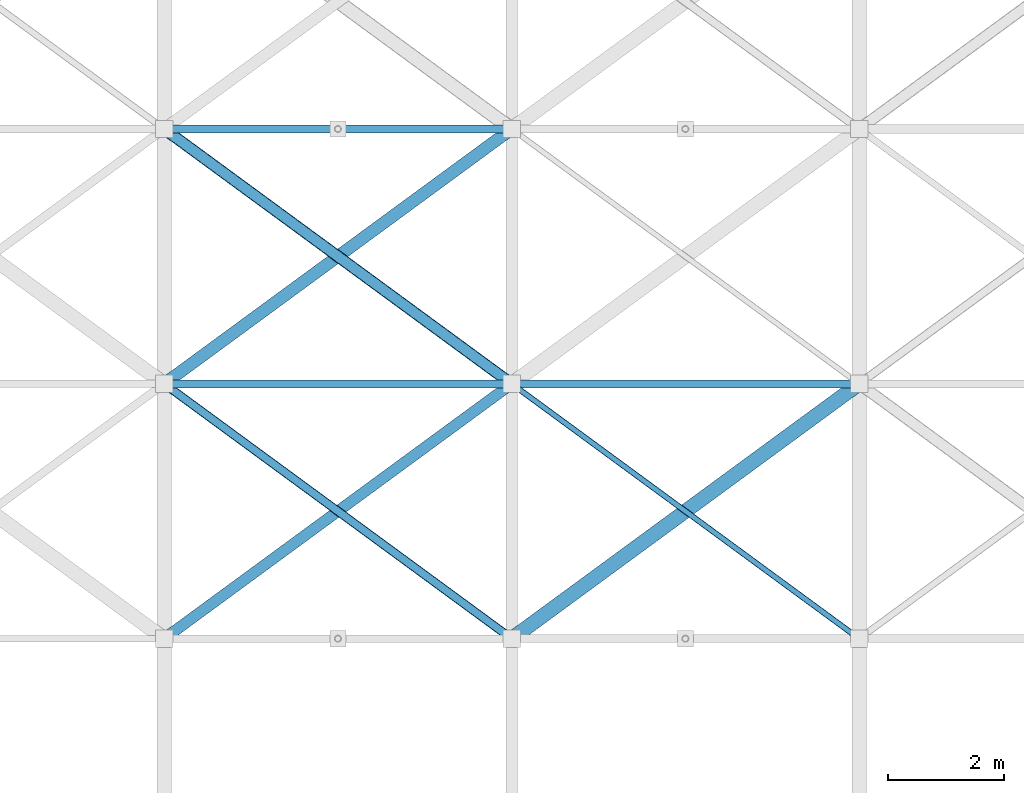
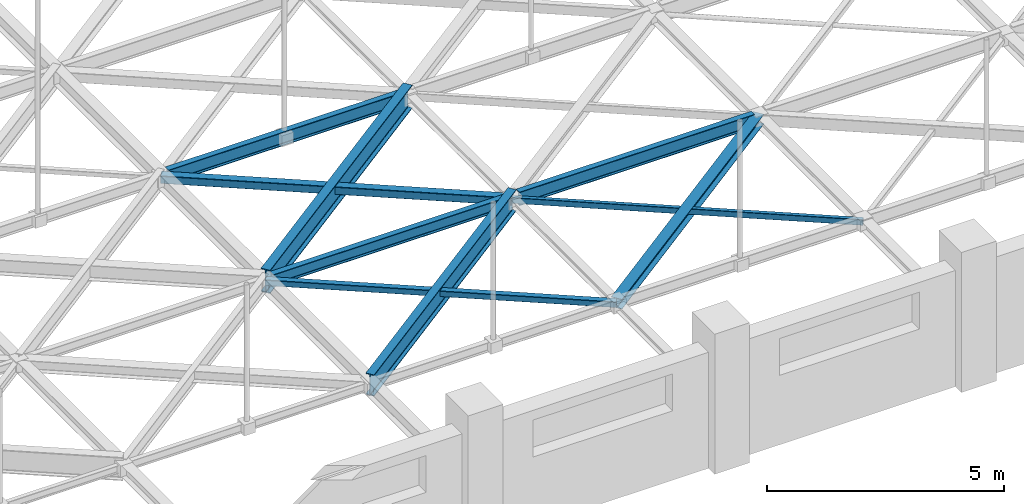
# One storey, part 32 of 93: 6 members, 3 beams.
"""IFC4 building model written with IfcOpenShell, lengths in metres."""

import ifcopenshell
import ifcopenshell.guid

model = None  # the IFC model being written
_history = None  # IfcOwnerHistory: only IFC2X3 demands one
_inside = {}  # id of a spatial element -> (the spatial element, [elements in it])
_under = {}  # id of a project, library or spatial element -> (it, [spatial elements below it])
_declared = {}  # id of a project -> (the project, [libraries it declares])
_typed = {}  # id of a type object -> (the type object, [elements of that type])
_made_of = {}  # id of a material, layer set ... -> (it, [elements and type objects made of it])


def new_model(schema):
    """Start an empty IFC model of exactly this schema.

    Asked for "IFC4X3", IfcOpenShell would pick the latest addendum, in which some entities
    have other attributes; the version numbers below select the first issue.
    IFC2X3 requires an IfcOwnerHistory on every rooted entity: one is made here for all.
    """
    global model, _history
    if schema == "IFC4X3":
        model = ifcopenshell.file(schema_version=(4, 3, 0, 0))
    else:
        model = ifcopenshell.file(schema=schema)
    _inside.clear()
    _under.clear()
    _declared.clear()
    _typed.clear()
    _made_of.clear()
    _history = None
    if model.schema == "IFC2X3":
        org = make("IfcOrganization", Name="unknown")
        user = make(
            "IfcPersonAndOrganization",
            ThePerson=make("IfcPerson", FamilyName="unknown"),
            TheOrganization=org,
        )
        app = make(
            "IfcApplication",
            ApplicationDeveloper=org,
            Version="unknown",
            ApplicationFullName="unknown",
            ApplicationIdentifier="unknown",
        )
        _history = make(
            "IfcOwnerHistory",
            OwningUser=user,
            OwningApplication=app,
            ChangeAction="ADDED",
            CreationDate=0,
        )
    return model


def make(cls, **values):
    """One entity of the class cls with the attributes given. An attribute that is None is left unset."""
    return model.create_entity(
        cls, **{name: value for name, value in values.items() if value is not None}
    )


def rooted(cls, **values):
    """An entity with a GlobalId (a new one), such as an element, a storey or a relation."""
    return make(cls, GlobalId=ifcopenshell.guid.new(), OwnerHistory=_history, **values)


def si_unit(unit_type, name, prefix=None):
    """IfcSIUnit, for example si_unit("LENGTHUNIT", "METRE", prefix="MILLI")."""
    return make("IfcSIUnit", UnitType=unit_type, Prefix=prefix, Name=name)


def assignment(units):
    """IfcUnitAssignment: the units of a project."""
    return None if units is None else make("IfcUnitAssignment", Units=units)


def point(xyz):
    """IfcCartesianPoint."""
    return None if xyz is None else make("IfcCartesianPoint", Coordinates=xyz)


def direction(xyz):
    """IfcDirection."""
    return None if xyz is None else make("IfcDirection", DirectionRatios=xyz)


def frame(location, z_axis=None, x_axis=None):
    """IfcAxis2Placement3D, a coordinate frame: its origin and axes. An axis left out is left unset."""
    return make(
        "IfcAxis2Placement3D",
        Location=point(location),
        Axis=direction(z_axis),
        RefDirection=direction(x_axis),
    )


def frame_2d(location, x_axis=None):
    """IfcAxis2Placement2D, a coordinate frame in the plane: its origin and x axis."""
    return make(
        "IfcAxis2Placement2D", Location=point(location), RefDirection=direction(x_axis)
    )


def origin():
    """The frame at (0, 0, 0) with its axes left unset."""
    return frame((0.0, 0.0, 0.0))


def origin_2d():
    """The frame at (0, 0) in the plane with its x axis left unset."""
    return frame_2d((0.0, 0.0))


def place(relative_to, where):
    """IfcLocalPlacement: puts the frame where relative to a parent placement (None: the world)."""
    return make(
        "IfcLocalPlacement", PlacementRelTo=relative_to, RelativePlacement=where
    )


def context(
    kind, dimensions, precision=None, world=None, true_north=None, identifier=None
):
    """IfcGeometricRepresentationContext, for example the 3D "Model" context."""
    return make(
        "IfcGeometricRepresentationContext",
        ContextIdentifier=identifier,
        ContextType=kind,
        CoordinateSpaceDimension=dimensions,
        Precision=precision,
        WorldCoordinateSystem=world,
        TrueNorth=true_north,
    )


def subcontext(parent, identifier, kind, view, scale=None):
    """IfcGeometricRepresentationSubContext, for example "Body" below "Model"."""
    return make(
        "IfcGeometricRepresentationSubContext",
        ContextIdentifier=identifier,
        ContextType=kind,
        ParentContext=parent,
        TargetScale=scale,
        TargetView=view,
    )


def project(units=None, contexts=None):
    """IfcProject with its units and contexts."""
    return rooted(
        "IfcProject",
        Name="project",
        RepresentationContexts=contexts,
        UnitsInContext=assignment(units),
    )


def spatial(cls, under=None, at=None, **own):
    """A site, building, storey or space (cls), placed at a placement, below another one or the project."""
    s = rooted(cls, ObjectPlacement=at, **own)
    if under is not None:
        _under.setdefault(under.id(), (under, []))[1].append(s)
    return s


def profile(cls, at=None, kind="AREA", **sizes):
    """A parametric profile (cls). Its sizes go by their IFC names, for example OverallWidth=200.0."""
    return make(cls, ProfileType=kind, Position=at, **sizes)


def hollow_rectangle(**sizes):
    """IfcRectangleHollowProfileDef."""
    return profile("IfcRectangleHollowProfileDef", **sizes)


def i_section(**sizes):
    """IfcIShapeProfileDef."""
    return profile("IfcIShapeProfileDef", **sizes)


def extrude(swept, where, along, depth):
    """IfcExtrudedAreaSolid: the profile swept, set in the frame where, extruded along a direction by depth."""
    return make(
        "IfcExtrudedAreaSolid",
        SweptArea=swept,
        Position=where,
        ExtrudedDirection=direction(along),
        Depth=depth,
    )


def shape(context_of_items, identifier, shape_type, items):
    """IfcShapeRepresentation: the items that make up one representation, for example the "Body"."""
    return make(
        "IfcShapeRepresentation",
        ContextOfItems=context_of_items,
        RepresentationIdentifier=identifier,
        RepresentationType=shape_type,
        Items=items,
    )


def material(Name=None, Category=None):
    """IfcMaterial."""
    return make("IfcMaterial", Name=Name, Category=Category)


def material_profile(
    of_material, cross_section, Name=None, Category=None, Priority=None
):
    """IfcMaterialProfile: a cross section and its material."""
    return make(
        "IfcMaterialProfile",
        Name=Name,
        Material=of_material,
        Profile=cross_section,
        Priority=Priority,
        Category=Category,
    )


def profile_set(profiles, Name=None, composite=None):
    """IfcMaterialProfileSet."""
    return make(
        "IfcMaterialProfileSet",
        Name=Name,
        MaterialProfiles=profiles,
        CompositeProfile=composite,
    )


def made_of(thing, what):
    """Note that an element or type object is made of a material, layer set ...; save() writes the relation."""
    if what is not None:
        _made_of.setdefault(what.id(), (what, []))[1].append(thing)
    return thing


def type_object(cls, material=None, **own):
    """A type object (cls), such as IfcWallType, which elements share."""
    return made_of(rooted(cls, **own), material)


def element(
    cls,
    number,
    at=None,
    inside=None,
    cuts=None,
    type_object=None,
    material=None,
    context=None,
    identifier="Body",
    shape_type=None,
    held_by="IfcProductDefinitionShape",
    body=None,
    shapes=None,
    **own,
):
    """One element of the class cls, such as IfcWall. Its Tag is "e" and its number.

    at: its placement. inside: the storey or other place that contains it. cuts: it is an
    opening in that element (IfcRelVoidsElement). A single representation is given by context,
    identifier, shape_type and body (its items); several are given by shapes. held_by: the class
    of the entity that holds the representations. save() writes the other relations.
    """
    e = rooted(cls, Tag="e%d" % number, ObjectPlacement=at, **own)
    if body is not None:
        shapes = [shape(context, identifier, shape_type, body)]
    if shapes is not None:
        e.Representation = make(held_by, Representations=shapes)
    if inside is not None:
        _inside.setdefault(inside.id(), (inside, []))[1].append(e)
    if cuts is not None:
        rooted(
            "IfcRelVoidsElement", RelatingBuildingElement=cuts, RelatedOpeningElement=e
        )
    if type_object is not None:
        _typed.setdefault(type_object.id(), (type_object, []))[1].append(e)
    return made_of(e, material)


def aggregate(whole, parts):
    """IfcRelAggregates: a whole, such as a stair, and the parts it consists of."""
    return rooted("IfcRelAggregates", RelatingObject=whole, RelatedObjects=parts)


def save(model, path):
    """Write the relations noted so far, then the file.

    IfcRelAggregates (storeys below a building ...), IfcRelContainedInSpatialStructure (elements
    in a storey), IfcRelDefinesByType, IfcRelAssociatesMaterial and IfcRelDeclares: one each for
    every whole, place, type object, material and project.
    """
    for whole, parts in _under.values():
        aggregate(whole, parts)
    for where, things in _inside.values():
        rooted(
            "IfcRelContainedInSpatialStructure",
            RelatedElements=things,
            RelatingStructure=where,
        )
    for kind, things in _typed.values():
        rooted("IfcRelDefinesByType", RelatedObjects=things, RelatingType=kind)
    for what, things in _made_of.values():
        rooted("IfcRelAssociatesMaterial", RelatedObjects=things, RelatingMaterial=what)
    for by, libraries in _declared.values():
        rooted("IfcRelDeclares", RelatingContext=by, RelatedDefinitions=libraries)
    model.write(path)


model = new_model("IFC4")

# Units and contexts
model_context = context("Model", 3, precision=1e-05, world=origin(), true_north=direction((0.0, 1.0)))
body_context = subcontext(model_context, "Body", "Model", "MODEL_VIEW")
ifc_project = project(units=[si_unit("LENGTHUNIT", "METRE"), si_unit("AREAUNIT", "SQUARE_METRE"), si_unit("VOLUMEUNIT", "CUBIC_METRE"), si_unit("PLANEANGLEUNIT", "RADIAN"), si_unit("MASSUNIT", "GRAM", prefix="KILO")], contexts=[model_context])

# Site, building, storey
site_placement = place(None, origin())
site = spatial("IfcSite", under=ifc_project, at=site_placement, CompositionType="ELEMENT")
building_placement = place(site_placement, origin())
building = spatial("IfcBuilding", under=site, at=building_placement, Name="Varnakota Cinema and Media Centre", CompositionType="ELEMENT")
storey_placement = place(building_placement, frame((0.0, 0.0, 12.0)))
storey = spatial("IfcBuildingStorey", under=building, at=storey_placement, Name="L03", CompositionType="ELEMENT", Elevation=12.0)

# Beams
ifc_material_1 = material(Name="Structural steel Grade 350 (E350)", Category="steel")
ifc_material_profile_1 = material_profile(ifc_material_1, i_section(OverallWidth=0.139892578125, OverallDepth=0.300048828125, WebThickness=0.0078125, FlangeThickness=0.01318359375, FilletRadius=0.013916015625, at=origin_2d()), Name="ISMB 300")
ifc_profile_set_1 = profile_set([ifc_material_profile_1], Name="Structural steel Grade 350 (E350)")
beam_type_1 = type_object("IfcBeamType", Name="BM-ST-ISMB300", PredefinedType="JOIST", material=ifc_profile_set_1)
beam_placement = place(storey_placement, frame((93.139892578125, 8.800048828125, 1.300048828125), z_axis=(1.0, 0.0, 0.0), x_axis=(0.0, 1.0, 0.0)))
element("IfcBeam", 1, at=beam_placement, inside=storey, type_object=beam_type_1, Name="V1 rigging beam 4.2", PredefinedType="JOIST", context=body_context, shape_type="SweptSolid", body=[
    extrude(i_section(OverallWidth=0.139892578125, OverallDepth=0.300048828125, WebThickness=0.0078125, FlangeThickness=0.01318359375, FilletRadius=0.013916015625, at=origin_2d()), origin(), (0.0, 0.0, 1.0), 5.72021484375),
])
ifc_material_2 = material(Name="Structural steel Grade 350 (E350)", Category="steel")
ifc_material_profile_2 = material_profile(ifc_material_2, i_section(OverallWidth=0.139892578125, OverallDepth=0.35009765625, WebThickness=0.008056640625, FlangeThickness=0.01416015625, FilletRadius=0.013916015625, at=origin_2d()), Name="ISMB 350")
ifc_profile_set_2 = profile_set([ifc_material_profile_2], Name="Structural steel Grade 350 (E350)")
beam_type_2 = type_object("IfcBeamType", Name="BM-ST-ISMB350", PredefinedType="JOIST", material=ifc_profile_set_2)
for number, where, z_axis, x_axis, name in (
    (2, (93.139892578125, 13.199951171875, 1.300048828125), (1.0, 0.0, 0.0), (0.0, 1.0, 0.0), "V1 rigging beam 4.3"),
    (3, (99.139892578125, 8.800048828125, 1.300048828125), (1.0, 0.0, 0.0), (0.0, 1.0, 0.0), "V1 rigging beam 5.2"),
):
    element("IfcBeam", number, at=place(storey_placement, frame(where, z_axis=z_axis, x_axis=x_axis)), inside=storey, type_object=beam_type_2, Name=name, PredefinedType="JOIST", context=body_context, shape_type="SweptSolid", body=[
        extrude(i_section(OverallWidth=0.139892578125, OverallDepth=0.35009765625, WebThickness=0.008056640625, FlangeThickness=0.01416015625, FilletRadius=0.013916015625, at=origin_2d()), origin(), (0.0, 0.0, 1.0), 5.72021484375),
    ])

# Members
ifc_material_3 = material(Name="Structural steel Grade 350 (E350)", Category="steel")
ifc_material_profile_3 = material_profile(ifc_material_3, i_section(OverallWidth=0.25, OverallDepth=0.25, WebThickness=0.0087890625, FlangeThickness=0.009765625, FilletRadius=0.010009765625, at=origin_2d()), Name="ISHB 250")
ifc_profile_set_3 = profile_set([ifc_material_profile_3], Name="Structural steel Grade 350 (E350)")
member_type_1 = type_object("IfcMemberType", Name="MEM-ST-ISHB250", PredefinedType="CHORD", material=ifc_profile_set_3)
member_1_placement = place(storey_placement, frame((99.0, 4.39990234375, 1.300048828125), z_axis=(0.806395607258, 0.591376466048, 0.0), x_axis=(-0.591376466048, 0.806395607258, 0.0)))
element("IfcMember", 4, at=member_1_placement, inside=storey, type_object=member_type_1, Name="V1 rigging plan member A 5.1", PredefinedType="CHORD", context=body_context, shape_type="SweptSolid", body=[
    extrude(i_section(OverallWidth=0.25, OverallDepth=0.25, WebThickness=0.0087890625, FlangeThickness=0.009765625, FilletRadius=0.010009765625, at=origin_2d()), origin(), (0.0, 0.0, 1.0), 7.4404296875),
])
ifc_material_4 = material(Name="Structural steel Grade 350 (E350)", Category="steel")
ifc_material_profile_4 = material_profile(ifc_material_4, i_section(OverallWidth=0.18994140625, OverallDepth=0.550048828125, WebThickness=0.01123046875, FlangeThickness=0.019287109375, FilletRadius=0.01806640625, at=origin_2d()), Name="ISMB 550")
ifc_profile_set_4 = profile_set([ifc_material_profile_4], Name="Structural steel Grade 350 (E350)")
member_type_2 = type_object("IfcMemberType", Name="MEM-ST-ISMB550", PredefinedType="RAFTER", material=ifc_profile_set_4)
member_2_placement = place(storey_placement, frame((93.0, 4.39990234375, 1.300048828125), z_axis=(0.806395607258, 0.591376466048, 0.0), x_axis=(-0.591376466048, 0.806395607258, 0.0)))
element("IfcMember", 5, at=member_2_placement, inside=storey, type_object=member_type_2, Name="V1 rigging plan member A 4.1", PredefinedType="RAFTER", context=body_context, shape_type="SweptSolid", body=[
    extrude(i_section(OverallWidth=0.18994140625, OverallDepth=0.550048828125, WebThickness=0.01123046875, FlangeThickness=0.019287109375, FilletRadius=0.01806640625, at=origin_2d()), origin(), (0.0, 0.0, 1.0), 7.4404296875),
])
ifc_material_5 = material(Name="Structural steel Grade 350 (E350)", Category="steel")
ifc_material_profile_5 = material_profile(ifc_material_5, i_section(OverallWidth=0.2099609375, OverallDepth=0.60009765625, WebThickness=0.011962890625, FlangeThickness=0.020751953125, FilletRadius=0.02001953125, at=origin_2d()), Name="ISMB 600")
ifc_profile_set_5 = profile_set([ifc_material_profile_5], Name="Structural steel Grade 350 (E350)")
member_type_3 = type_object("IfcMemberType", Name="MEM-ST-ISMB600", PredefinedType="RAFTER", material=ifc_profile_set_5)
member_3_placement = place(storey_placement, frame((93.0, 8.800048828125, 1.300048828125), z_axis=(0.80641125493, 0.591355128432, 0.0), x_axis=(-0.591355128432, 0.80641125493, 0.0)))
element("IfcMember", 6, at=member_3_placement, inside=storey, type_object=member_type_3, Name="V1 rigging plan member A 4.2", PredefinedType="RAFTER", context=body_context, shape_type="SweptSolid", body=[
    extrude(i_section(OverallWidth=0.2099609375, OverallDepth=0.60009765625, WebThickness=0.011962890625, FlangeThickness=0.020751953125, FilletRadius=0.02001953125, at=origin_2d()), origin(), (0.0, 0.0, 1.0), 7.4404296875),
])
ifc_material_6 = material(Name="Structural steel S355 (YSt 355)", Category="steel")
ifc_material_profile_6 = material_profile(ifc_material_6, hollow_rectangle(XDim=0.10009765625, YDim=0.14990234375, WallThickness=0.006103515625, InnerFilletRadius=0.006103515625, OuterFilletRadius=0.011962890625, at=origin_2d()), Name="RHS 150x100x6")
ifc_profile_set_6 = profile_set([ifc_material_profile_6], Name="Structural steel S355 (YSt 355)")
member_type_4 = type_object("IfcMemberType", Name="MEM-ST-RHS150x100x6", PredefinedType="PURLIN", material=ifc_profile_set_6)
member_4_placement = place(storey_placement, frame((105.0, 4.39990234375, 1.300048828125), z_axis=(-0.806395607258, 0.591376466048, 0.0), x_axis=(-0.591376466048, -0.806395607258, 0.0)))
element("IfcMember", 7, at=member_4_placement, inside=storey, type_object=member_type_4, Name="V1 rigging plan member B 5.1", PredefinedType="PURLIN", context=body_context, shape_type="SweptSolid", body=[
    extrude(hollow_rectangle(XDim=0.10009765625, YDim=0.14990234375, WallThickness=0.006103515625, InnerFilletRadius=0.006103515625, OuterFilletRadius=0.011962890625, at=origin_2d()), origin(), (0.0, 0.0, 1.0), 7.4404296875),
])
ifc_material_7 = material(Name="Structural steel S355 (YSt 355)", Category="steel")
ifc_material_profile_7 = material_profile(ifc_material_7, hollow_rectangle(XDim=0.14990234375, YDim=0.14990234375, WallThickness=0.008056640625, InnerFilletRadius=0.008056640625, OuterFilletRadius=0.01611328125, at=origin_2d()), Name="SHS 150x150x8")
ifc_profile_set_7 = profile_set([ifc_material_profile_7], Name="Structural steel S355 (YSt 355)")
member_type_5 = type_object("IfcMemberType", Name="MEM-ST-SHS150x150x8", PredefinedType="STRUT", material=ifc_profile_set_7)
member_5_placement = place(storey_placement, frame((99.0, 4.39990234375, 1.300048828125), z_axis=(-0.806395607258, 0.591376466048, 0.0), x_axis=(-0.591376466048, -0.806395607258, 0.0)))
element("IfcMember", 8, at=member_5_placement, inside=storey, type_object=member_type_5, Name="V1 rigging plan member B 4.1", PredefinedType="STRUT", context=body_context, shape_type="SweptSolid", body=[
    extrude(hollow_rectangle(XDim=0.14990234375, YDim=0.14990234375, WallThickness=0.008056640625, InnerFilletRadius=0.008056640625, OuterFilletRadius=0.01611328125, at=origin_2d()), origin(), (0.0, 0.0, 1.0), 7.4404296875),
])
ifc_material_8 = material(Name="Structural steel S355 (YSt 355)", Category="steel")
ifc_material_profile_8 = material_profile(ifc_material_8, hollow_rectangle(XDim=0.199951171875, YDim=0.199951171875, WallThickness=0.010009765625, InnerFilletRadius=0.010009765625, OuterFilletRadius=0.02001953125, at=origin_2d()), Name="SHS 200x200x10")
ifc_profile_set_8 = profile_set([ifc_material_profile_8], Name="Structural steel S355 (YSt 355)")
member_type_6 = type_object("IfcMemberType", Name="MEM-ST-SHS200x200x10", PredefinedType="STRUT", material=ifc_profile_set_8)
member_6_placement = place(storey_placement, frame((99.0, 8.800048828125, 1.300048828125), z_axis=(-0.80641125493, 0.591355128432, 0.0), x_axis=(-0.591355128432, -0.80641125493, 0.0)))
element("IfcMember", 9, at=member_6_placement, inside=storey, type_object=member_type_6, Name="V1 rigging plan member B 4.2", PredefinedType="STRUT", context=body_context, shape_type="SweptSolid", body=[
    extrude(hollow_rectangle(XDim=0.199951171875, YDim=0.199951171875, WallThickness=0.010009765625, InnerFilletRadius=0.010009765625, OuterFilletRadius=0.02001953125, at=origin_2d()), origin(), (0.0, 0.0, 1.0), 7.4404296875),
])

save(model, "model.ifc")
